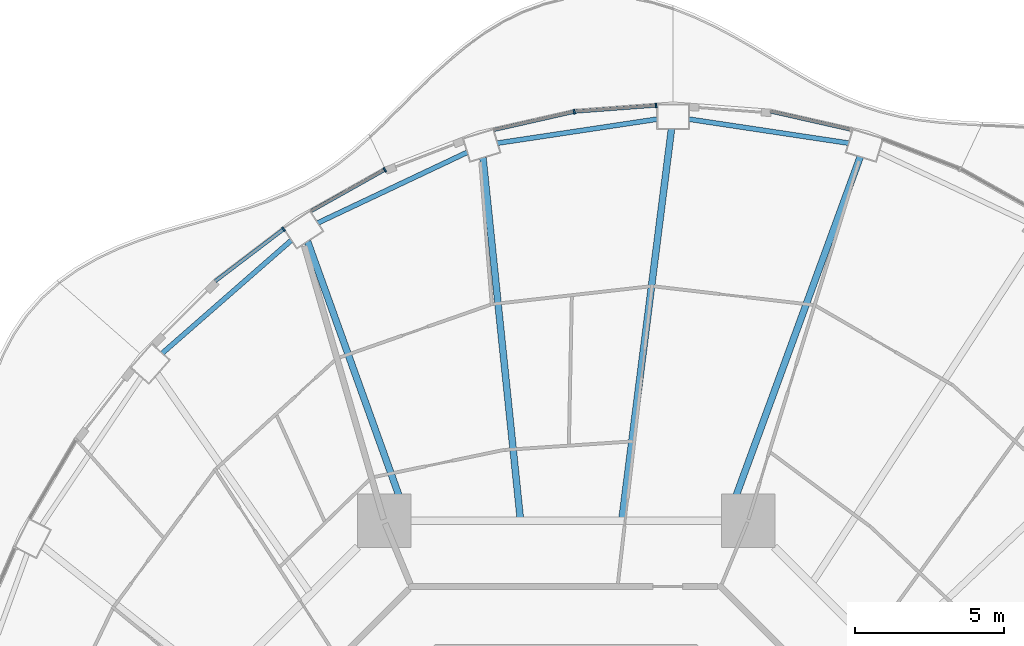
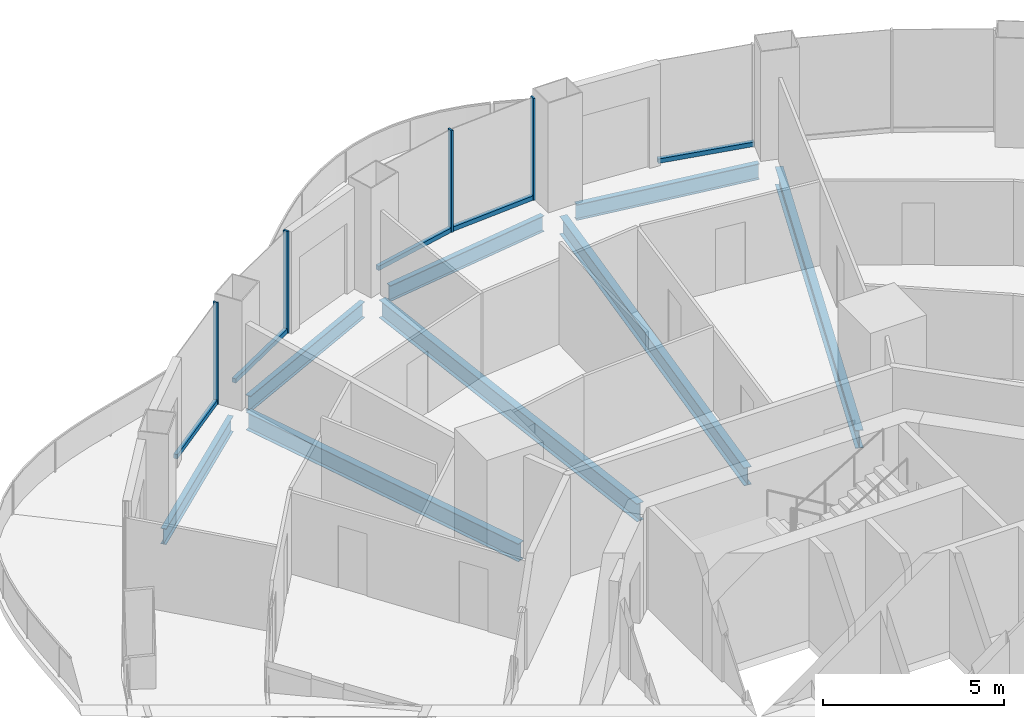
# One storey, part 7 of 19: 9 members, 8 beams, 5 elements without a shape of their own.
"""IFC4 building model written with IfcOpenShell, lengths in metres."""

from ifc_helpers import new_model, si_unit, direction, frame, origin, origin_2d, place, context, subcontext, project, spatial, rectangle, i_section, extrude, material, layer, layer_set, material_profile, profile_set, type_object, element, aggregate, save


model = new_model("IFC4")

# Units and contexts
model_context = context("Model", 3, precision=1e-05, world=origin(), true_north=direction((0.0, 1.0)))
body_context = subcontext(model_context, "Body", "Model", "MODEL_VIEW")
ifc_project = project(units=[si_unit("LENGTHUNIT", "METRE"), si_unit("AREAUNIT", "SQUARE_METRE"), si_unit("VOLUMEUNIT", "CUBIC_METRE"), si_unit("PLANEANGLEUNIT", "RADIAN"), si_unit("MASSUNIT", "GRAM", prefix="KILO")], contexts=[model_context])

# Site, building, storey
site_placement = place(None, origin())
site = spatial("IfcSite", under=ifc_project, at=site_placement, CompositionType="ELEMENT")
building_placement = place(site_placement, origin())
building = spatial("IfcBuilding", under=site, at=building_placement, Name="Nagisa Residences", CompositionType="ELEMENT")
storey_placement = place(building_placement, frame((0.0, 0.0, 191.800048828125)))
storey = spatial("IfcBuildingStorey", under=building, at=storey_placement, Name="L48", CompositionType="ELEMENT", Elevation=191.800048828125)

# Curtain wall, member
ifc_material_1 = material(Name="Concrete-coloured aluminium curtain wall system", Category="concrete")
ifc_layer = layer(ifc_material_1, 0.159912109375)
ifc_layer_set = layer_set([ifc_layer], Name="CW1 CURTAIN WALL")
curtain_wall_type = type_object("IfcCurtainWallType", Name="CW1 CURTAIN WALL", PredefinedType="NOTDEFINED", material=ifc_layer_set)
curtain_wall_1_placement = place(storey_placement, origin())
curtain_wall_1 = element("IfcCurtainWall", 1, at=curtain_wall_1_placement, inside=storey, type_object=curtain_wall_type, Name="cw:CW1:L48:12", PredefinedType="NOTDEFINED")
ifc_material_2 = material(Name="Concrete-coloured aluminium", Category="concrete")
ifc_material_profile_1 = material_profile(ifc_material_2, rectangle(XDim=0.159912109375, YDim=0.06005859375, at=origin_2d()), Name="CW1 MULLION 160x60")
ifc_profile_set_1 = profile_set([ifc_material_profile_1], Name="Concrete-coloured aluminium")
member_type_1 = type_object("IfcMemberType", Name="CW1 MULLION 160x60", PredefinedType="MULLION", material=ifc_profile_set_1)
member_1_placement = place(storey_placement, frame((3.027587890625, 28.752197265625, 0.0), z_axis=(0.0, 0.0, 1.0), x_axis=(0.074377355493, -0.997230168512, 0.0)))
member_1 = element("IfcMember", 2, at=member_1_placement, type_object=member_type_1, Name="CW1 mullion", PredefinedType="MULLION", context=body_context, shape_type="SweptSolid", body=[
    extrude(rectangle(XDim=0.159912109375, YDim=0.06005859375, at=origin_2d()), origin(), (0.0, 0.0, 1.0), 3.43994140625),
])

curtain_wall_2_placement = place(storey_placement, origin())
curtain_wall_2 = element("IfcCurtainWall", 3, at=curtain_wall_2_placement, inside=storey, type_object=curtain_wall_type, Name="cw:CW1:L48:13", PredefinedType="NOTDEFINED")
member_2_placement = place(storey_placement, frame((0.2763671875, 28.543212890625, 0.0), z_axis=(0.0, 0.0, 1.0), x_axis=(0.2207639201, -0.975327274089, 0.0)))
member_2 = element("IfcMember", 4, at=member_2_placement, type_object=member_type_1, Name="CW1 mullion", PredefinedType="MULLION", context=body_context, shape_type="SweptSolid", body=[
    extrude(rectangle(XDim=0.159912109375, YDim=0.06005859375, at=origin_2d()), origin(), (0.0, 0.0, 1.0), 3.43994140625),
])

curtain_wall_3_placement = place(storey_placement, origin())
curtain_wall_3 = element("IfcCurtainWall", 5, at=curtain_wall_3_placement, inside=storey, type_object=curtain_wall_type, Name="cw:CW1:L48:15", PredefinedType="NOTDEFINED")
member_3_placement = place(storey_placement, frame((-6.09765625, 26.592529296875, 0.0), z_axis=(0.0, 0.0, 1.0), x_axis=(0.489376918501, -0.872072377523, 0.0)))
member_3 = element("IfcMember", 6, at=member_3_placement, type_object=member_type_1, Name="CW1 mullion", PredefinedType="MULLION", context=body_context, shape_type="SweptSolid", body=[
    extrude(rectangle(XDim=0.159912109375, YDim=0.06005859375, at=origin_2d()), origin(), (0.0, 0.0, 1.0), 3.43994140625),
])

curtain_wall_4_placement = place(storey_placement, origin())
curtain_wall_4 = element("IfcCurtainWall", 7, at=curtain_wall_4_placement, inside=storey, type_object=curtain_wall_type, Name="cw:CW1:L48:16", PredefinedType="NOTDEFINED")
member_4_placement = place(storey_placement, frame((-9.500732421875, 24.591796875, 0.0), z_axis=(0.0, 0.0, 1.0), x_axis=(0.605255421737, -0.79603132756, 0.0)))
member_4 = element("IfcMember", 8, at=member_4_placement, type_object=member_type_1, Name="CW1 mullion", PredefinedType="MULLION", context=body_context, shape_type="SweptSolid", body=[
    extrude(rectangle(XDim=0.159912109375, YDim=0.06005859375, at=origin_2d()), origin(), (0.0, 0.0, 1.0), 3.43994140625),
])

curtain_wall_5_placement = place(storey_placement, origin())
curtain_wall_5 = element("IfcCurtainWall", 9, at=curtain_wall_5_placement, inside=storey, type_object=curtain_wall_type, Name="cw:CW1:L48:10", PredefinedType="NOTDEFINED")
ifc_material_3 = material(Name="Concrete-coloured aluminium", Category="concrete")
ifc_material_profile_2 = material_profile(ifc_material_3, rectangle(XDim=0.1201171875, YDim=0.14990234375, at=origin_2d()), Name="CW1 TRANSOM 120x150")
ifc_profile_set_2 = profile_set([ifc_material_profile_2], Name="Concrete-coloured aluminium")
member_type_2 = type_object("IfcMemberType", Name="CW1 TRANSOM 120x150", PredefinedType="USERDEFINED", material=ifc_profile_set_2)
member_5_placement = place(storey_placement, frame((9.613525390625, 27.9345703125, 0.074951171875), z_axis=(-0.975324329911, 0.220776926974, 0.0), x_axis=(-0.220776926974, -0.975324329911, 0.0)))
member_5 = element("IfcMember", 10, at=member_5_placement, type_object=member_type_2, Name="CW1 transom", ObjectType="TRANSOM", PredefinedType="USERDEFINED", context=body_context, shape_type="SweptSolid", body=[
    extrude(rectangle(XDim=0.1201171875, YDim=0.14990234375, at=origin_2d()), origin(), (0.0, 0.0, 1.0), 2.787841796875),
])
aggregate(curtain_wall_5, [member_5])

# Member
member_6_placement = place(storey_placement, frame((3.057373046875, 28.75439453125, 0.074951171875), z_axis=(-0.99722504052, -0.074446078208, 0.0), x_axis=(0.074446078208, -0.99722504052, 0.0)))
member_6 = element("IfcMember", 11, at=member_6_placement, type_object=member_type_2, Name="CW1 transom", ObjectType="TRANSOM", PredefinedType="USERDEFINED", context=body_context, shape_type="SweptSolid", body=[
    extrude(rectangle(XDim=0.1201171875, YDim=0.14990234375, at=origin_2d()), origin(), (0.0, 0.0, 1.0), 2.77099609375),
])

aggregate(curtain_wall_1, [member_1, member_6])

member_7_placement = place(storey_placement, frame((0.3056640625, 28.550048828125, 0.074951171875), z_axis=(-0.975324329911, -0.220776926974, 0.0), x_axis=(0.220776926974, -0.975324329911, 0.0)))
member_7 = element("IfcMember", 12, at=member_7_placement, type_object=member_type_2, Name="CW1 transom", ObjectType="TRANSOM", PredefinedType="USERDEFINED", context=body_context, shape_type="SweptSolid", body=[
    extrude(rectangle(XDim=0.1201171875, YDim=0.14990234375, at=origin_2d()), origin(), (0.0, 0.0, 1.0), 2.787841796875),
])

aggregate(curtain_wall_2, [member_2, member_7])

member_8_placement = place(storey_placement, frame((-6.071533203125, 26.607177734375, 0.074951171875), z_axis=(-0.872057843239, -0.489402817774, 0.0), x_axis=(0.489402817774, -0.872057843239, 0.0)))
member_8 = element("IfcMember", 13, at=member_8_placement, type_object=member_type_2, Name="CW1 transom", ObjectType="TRANSOM", PredefinedType="USERDEFINED", context=body_context, shape_type="SweptSolid", body=[
    extrude(rectangle(XDim=0.1201171875, YDim=0.14990234375, at=origin_2d()), origin(), (0.0, 0.0, 1.0), 2.863525390625),
])

aggregate(curtain_wall_3, [member_3, member_8])

member_9_placement = place(storey_placement, frame((-9.476806640625, 24.60986328125, 0.074951171875), z_axis=(-0.796055733703, -0.60522332146, 0.0), x_axis=(0.60522332146, -0.796055733703, 0.0)))
member_9 = element("IfcMember", 14, at=member_9_placement, type_object=member_type_2, Name="CW1 transom", ObjectType="TRANSOM", PredefinedType="USERDEFINED", context=body_context, shape_type="SweptSolid", body=[
    extrude(rectangle(XDim=0.1201171875, YDim=0.14990234375, at=origin_2d()), origin(), (0.0, 0.0, 1.0), 2.9169921875),
])

aggregate(curtain_wall_4, [member_4, member_9])

# Beams
ifc_material_4 = material(Name="Steel ASTM A572 Gr 50", Category="steel")
ifc_material_profile_3 = material_profile(ifc_material_4, i_section(OverallWidth=0.166015625, OverallDepth=0.534912109375, WebThickness=0.01025390625, FlangeThickness=0.0166015625, at=origin_2d()), Name="W530x85")
ifc_profile_set_3 = profile_set([ifc_material_profile_3], Name="Steel ASTM A572 Gr 50")
beam_type_1 = type_object("IfcBeamType", Name="Perimeter ring beam W530x85", PredefinedType="BEAM", material=ifc_profile_set_3)
for number, where, z_axis, x_axis, name in (
    (15, (9.508056640625, 27.48779296875, -0.527587890625), (-0.988911312658, 0.148507291732, 0.0), (-0.148507291732, -0.988911312658, 0.0), "beam:L48:pb06"),
    (16, (3.06982421875, 28.29541015625, -0.527587890625), (-0.988911312658, -0.148507291732, 0.0), (0.148507291732, -0.988911312658, 0.0), "beam:L48:pb07"),
):
    element("IfcBeam", number, at=place(storey_placement, frame(where, z_axis=z_axis, x_axis=x_axis)), inside=storey, type_object=beam_type_1, Name=name, PredefinedType="BEAM", context=body_context, shape_type="SweptSolid", body=[
        extrude(i_section(OverallWidth=0.166015625, OverallDepth=0.534912109375, WebThickness=0.01025390625, FlangeThickness=0.0166015625, at=origin_2d()), origin(), (0.0, 0.0, 1.0), 5.438232421875),
    ])
beam_1_placement = place(storey_placement, frame((-3.32275390625, 27.17919921875, -0.527587890625), z_axis=(-0.904157325884, -0.427199637232, 0.0), x_axis=(0.427199637232, -0.904157325884, 0.0)))
element("IfcBeam", 17, at=beam_1_placement, inside=storey, type_object=beam_type_1, Name="beam:L48:pb08", PredefinedType="BEAM", context=body_context, shape_type="SweptSolid", body=[
    extrude(i_section(OverallWidth=0.166015625, OverallDepth=0.534912109375, WebThickness=0.01025390625, FlangeThickness=0.0166015625, at=origin_2d()), origin(), (0.0, 0.0, 1.0), 5.56396484375),
])
beam_2_placement = place(storey_placement, frame((-9.240234375, 24.220947265625, -0.527587890625), z_axis=(-0.752461486776, -0.658636250838, 0.0), x_axis=(0.658636250838, -0.752461486776, 0.0)))
element("IfcBeam", 18, at=beam_2_placement, inside=storey, type_object=beam_type_1, Name="beam:L48:pb09", PredefinedType="BEAM", context=body_context, shape_type="SweptSolid", body=[
    extrude(i_section(OverallWidth=0.166015625, OverallDepth=0.534912109375, WebThickness=0.01025390625, FlangeThickness=0.0166015625, at=origin_2d()), origin(), (0.0, 0.0, 1.0), 5.776611328125),
])
ifc_material_5 = material(Name="Steel ASTM A572 Gr 50", Category="steel")
ifc_material_profile_4 = material_profile(ifc_material_5, i_section(OverallWidth=0.22802734375, OverallDepth=0.60302734375, WebThickness=0.010498046875, FlangeThickness=0.014892578125, at=origin_2d()), Name="W610x101")
ifc_profile_set_4 = profile_set([ifc_material_profile_4], Name="Steel ASTM A572 Gr 50")
beam_type_2 = type_object("IfcBeamType", Name="Radial beam W610x101", PredefinedType="BEAM", material=ifc_profile_set_4)
beam_3_placement = place(storey_placement, frame((9.898681640625, 27.02734375, -0.5615234375), z_axis=(-0.343903309659, -0.939005065804, 0.0), x_axis=(0.939005065804, -0.343903309659, 0.0)))
element("IfcBeam", 19, at=beam_3_placement, inside=storey, type_object=beam_type_2, Name="beam:L48:rb06", PredefinedType="BEAM", context=body_context, shape_type="SweptSolid", body=[
    extrude(i_section(OverallWidth=0.22802734375, OverallDepth=0.60302734375, WebThickness=0.010498046875, FlangeThickness=0.014892578125, at=origin_2d()), origin(), (0.0, 0.0, 1.0), 12.92529296875),
])
beam_4_placement = place(storey_placement, frame((3.548583984375, 27.9697265625, -0.5615234375), z_axis=(-0.125871302495, -0.992046579153, 0.0), x_axis=(0.992046579153, -0.125871302495, 0.0)))
element("IfcBeam", 20, at=beam_4_placement, inside=storey, type_object=beam_type_2, Name="beam:L48:rb07", PredefinedType="BEAM", context=body_context, shape_type="SweptSolid", body=[
    extrude(i_section(OverallWidth=0.22802734375, OverallDepth=0.60302734375, WebThickness=0.010498046875, FlangeThickness=0.014892578125, at=origin_2d()), origin(), (0.0, 0.0, 1.0), 13.185546875),
])
beam_5_placement = place(storey_placement, frame((-2.795654296875, 26.997314453125, -0.5615234375), z_axis=(0.103007948723, -0.994680532885, 0.0), x_axis=(0.994680532885, 0.103007948723, 0.0)))
element("IfcBeam", 21, at=beam_5_placement, inside=storey, type_object=beam_type_2, Name="beam:L48:rb08", PredefinedType="BEAM", context=body_context, shape_type="SweptSolid", body=[
    extrude(i_section(OverallWidth=0.22802734375, OverallDepth=0.60302734375, WebThickness=0.010498046875, FlangeThickness=0.014892578125, at=origin_2d()), origin(), (0.0, 0.0, 1.0), 12.1728515625),
])
beam_6_placement = place(storey_placement, frame((-8.6962890625, 24.180908203125, -0.5615234375), z_axis=(0.338417364879, -0.940996114311, 0.0), x_axis=(0.940996114311, 0.338417364879, 0.0)))
element("IfcBeam", 22, at=beam_6_placement, inside=storey, type_object=beam_type_2, Name="beam:L48:rb09", PredefinedType="BEAM", context=body_context, shape_type="SweptSolid", body=[
    extrude(i_section(OverallWidth=0.22802734375, OverallDepth=0.60302734375, WebThickness=0.010498046875, FlangeThickness=0.014892578125, at=origin_2d()), origin(), (0.0, 0.0, 1.0), 9.873291015625),
])

save(model, "model.ifc")
